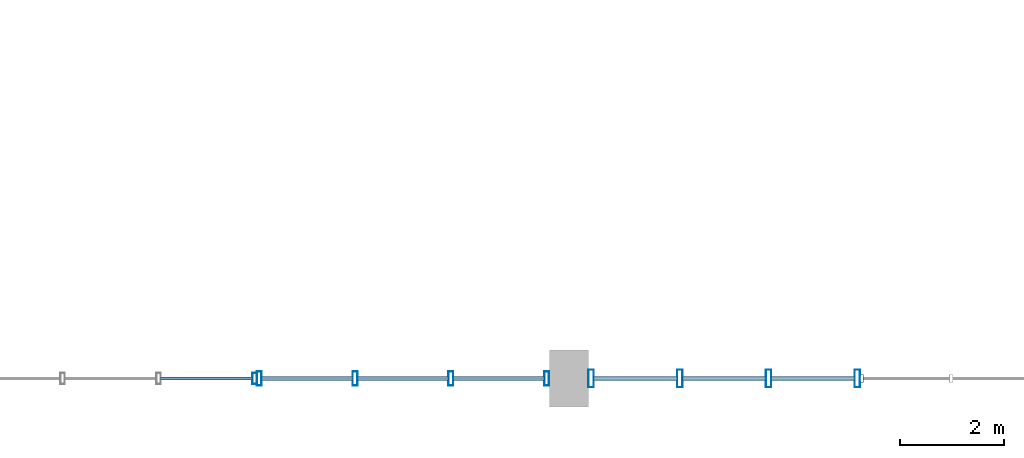
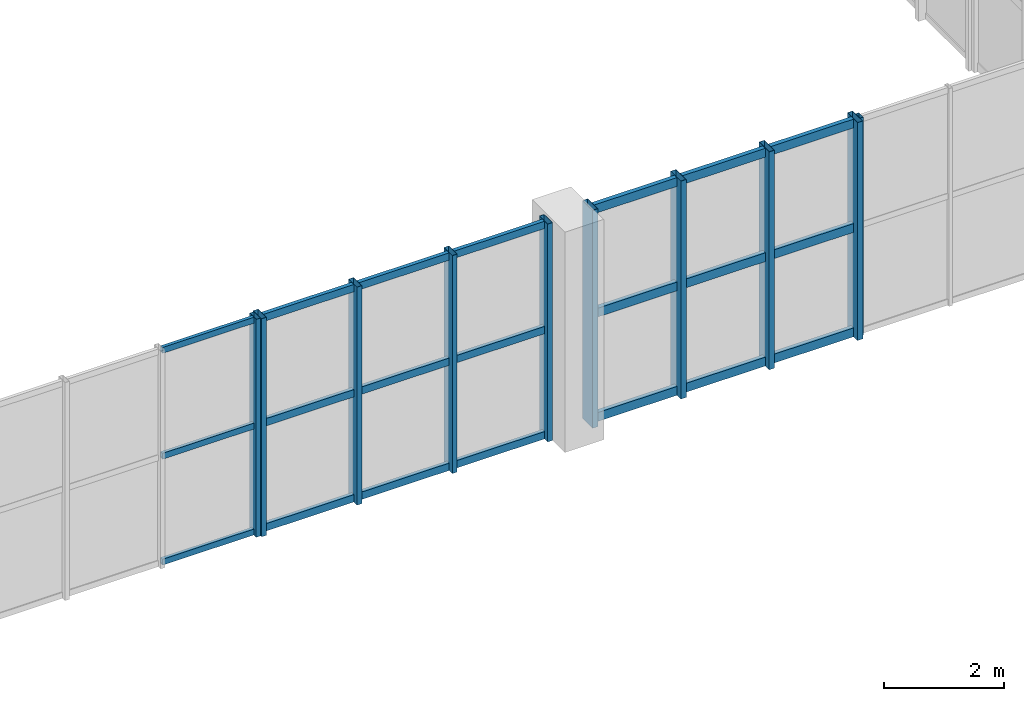
# One storey, part 42 of 80: 31 members, 4 elements without a shape of their own.
"""IFC4 building model written with IfcOpenShell, lengths in metres."""

from ifc_helpers import new_model, si_unit, direction, frame, origin, origin_2d, place, context, subcontext, project, spatial, hollow_rectangle, extrude, material, layer, layer_set, material_profile, profile_set, type_object, element, aggregate, save


model = new_model("IFC4")

# Units and contexts
model_context = context("Model", 3, precision=1e-05, world=origin(), true_north=direction((0.0, 1.0)))
body_context = subcontext(model_context, "Body", "Model", "MODEL_VIEW")
ifc_project = project(units=[si_unit("LENGTHUNIT", "METRE"), si_unit("AREAUNIT", "SQUARE_METRE"), si_unit("VOLUMEUNIT", "CUBIC_METRE"), si_unit("PLANEANGLEUNIT", "RADIAN"), si_unit("MASSUNIT", "GRAM", prefix="KILO"), si_unit("POWERUNIT", "WATT"), si_unit("THERMODYNAMICTEMPERATUREUNIT", "KELVIN")], contexts=[model_context])

# Site, building, storey
site_placement = place(None, origin())
site = spatial("IfcSite", under=ifc_project, at=site_placement, CompositionType="ELEMENT")
building_placement = place(site_placement, origin())
building = spatial("IfcBuilding", under=site, at=building_placement, Name="Kelmbourne Parkland Aquatics Centre", CompositionType="ELEMENT")
storey_placement = place(building_placement, frame((0.0, 0.0, 10.199951171875)))
storey = spatial("IfcBuildingStorey", under=building, at=storey_placement, Name="L02", CompositionType="ELEMENT", Elevation=10.199951171875)

# Curtain wall, member
ifc_material = material(Name="Thermally broken anodised aluminium framing", Category="aluminium")
ifc_layer_1 = layer(ifc_material, 0.179931640625)
ifc_layer_set_1 = layer_set([ifc_layer_1], Name="Thermally broken anodised aluminium framing")
curtain_wall_type_1 = type_object("IfcCurtainWallType", Name="CW-24", PredefinedType="NOTDEFINED", material=ifc_layer_set_1)
curtain_wall_1_placement = place(storey_placement, origin())
curtain_wall_1 = element("IfcCurtainWall", 1, at=curtain_wall_1_placement, inside=storey, type_object=curtain_wall_type_1, Name="Wave-hall clerestory curtain wall CW-L02-120", PredefinedType="NOTDEFINED")
ifc_material_profile_1 = material_profile(ifc_material, hollow_rectangle(XDim=0.06494140625, YDim=0.14990234375, WallThickness=0.00390625, at=origin_2d()), Name="CW-M 65x150")
ifc_profile_set_1 = profile_set([ifc_material_profile_1], Name="Thermally broken anodised aluminium framing")
member_type_1 = type_object("IfcMemberType", Name="MB-MUL-1", PredefinedType="MULLION", material=ifc_profile_set_1)
member_1_placement = place(storey_placement, frame((169.632568359375, 0.800048828125, 0.0), z_axis=(0.0, 0.0, 1.0), x_axis=(1.0, 0.0, 0.0)))
member_1 = element("IfcMember", 2, at=member_1_placement, type_object=member_type_1, Name="CW-L02-120 mullion 0", PredefinedType="MULLION", context=body_context, shape_type="SweptSolid", body=[
    extrude(hollow_rectangle(XDim=0.06494140625, YDim=0.14990234375, WallThickness=0.00390625, at=origin_2d()), origin(), (0.0, 0.0, 1.0), 4.449951171875),
])
aggregate(curtain_wall_1, [member_1])

ifc_layer_2 = layer(ifc_material, 0.179931640625)
ifc_layer_set_2 = layer_set([ifc_layer_2], Name="Thermally broken anodised aluminium framing")
curtain_wall_type_2 = type_object("IfcCurtainWallType", Name="CW-21", PredefinedType="NOTDEFINED", material=ifc_layer_set_2)
curtain_wall_2_placement = place(storey_placement, origin())
curtain_wall_2 = element("IfcCurtainWall", 3, at=curtain_wall_2_placement, inside=storey, type_object=curtain_wall_type_2, Name="Wave-hall clerestory curtain wall CW-L02-117", PredefinedType="NOTDEFINED")
ifc_material_profile_2 = material_profile(ifc_material, hollow_rectangle(XDim=0.0849609375, YDim=0.219970703125, WallThickness=0.0048828125, at=origin_2d()), Name="CW-M 85x220")
ifc_profile_set_2 = profile_set([ifc_material_profile_2], Name="Thermally broken anodised aluminium framing")
member_type_2 = type_object("IfcMemberType", Name="MB-MUL-3", PredefinedType="MULLION", material=ifc_profile_set_2)
member_2_placement = place(storey_placement, frame((157.95751953125, 0.800048828125, 0.0), z_axis=(0.0, 0.0, 1.0), x_axis=(1.0, 0.0, 0.0)))
member_2 = element("IfcMember", 4, at=member_2_placement, type_object=member_type_2, Name="CW-L02-117 mullion 3", PredefinedType="MULLION", context=body_context, shape_type="SweptSolid", body=[
    extrude(hollow_rectangle(XDim=0.0849609375, YDim=0.219970703125, WallThickness=0.0048828125, at=origin_2d()), origin(), (0.0, 0.0, 1.0), 4.449951171875),
])

# Curtain wall, members
ifc_layer_3 = layer(ifc_material, 0.179931640625)
ifc_layer_set_3 = layer_set([ifc_layer_3], Name="Thermally broken anodised aluminium framing")
curtain_wall_type_3 = type_object("IfcCurtainWallType", Name="CW-22", PredefinedType="NOTDEFINED", material=ifc_layer_set_3)
curtain_wall_3_placement = place(storey_placement, origin())
curtain_wall_3 = element("IfcCurtainWall", 5, at=curtain_wall_3_placement, inside=storey, type_object=curtain_wall_type_3, Name="Wave-hall clerestory curtain wall CW-L02-118", PredefinedType="NOTDEFINED")
ifc_material_profile_3 = material_profile(ifc_material, hollow_rectangle(XDim=0.094970703125, YDim=0.280029296875, WallThickness=0.005615234375, at=origin_2d()), Name="CW-M 95x280")
ifc_profile_set_3 = profile_set([ifc_material_profile_3], Name="Thermally broken anodised aluminium framing")
member_type_3 = type_object("IfcMemberType", Name="MB-MUL-4", PredefinedType="MULLION", material=ifc_profile_set_3)
member_3_placement = place(storey_placement, frame((158.047607421875, 0.800048828125, 0.0), z_axis=(0.0, 0.0, 1.0), x_axis=(1.0, 0.0, 0.0)))
member_3 = element("IfcMember", 6, at=member_3_placement, type_object=member_type_3, Name="CW-L02-118 mullion 0", PredefinedType="MULLION", context=body_context, shape_type="SweptSolid", body=[
    extrude(hollow_rectangle(XDim=0.094970703125, YDim=0.280029296875, WallThickness=0.005615234375, at=origin_2d()), origin(), (0.0, 0.0, 1.0), 4.449951171875),
])
member_4_placement = place(storey_placement, frame((159.89013671875, 0.800048828125, 0.0), z_axis=(0.0, 0.0, 1.0), x_axis=(1.0, 0.0, 0.0)))
member_4 = element("IfcMember", 7, at=member_4_placement, type_object=member_type_3, Name="CW-L02-118 mullion 1", PredefinedType="MULLION", context=body_context, shape_type="SweptSolid", body=[
    extrude(hollow_rectangle(XDim=0.094970703125, YDim=0.280029296875, WallThickness=0.005615234375, at=origin_2d()), origin(), (0.0, 0.0, 1.0), 4.449951171875),
])
member_5_placement = place(storey_placement, frame((161.73291015625, 0.800048828125, 0.0), z_axis=(0.0, 0.0, 1.0), x_axis=(1.0, 0.0, 0.0)))
member_5 = element("IfcMember", 8, at=member_5_placement, type_object=member_type_3, Name="CW-L02-118 mullion 2", PredefinedType="MULLION", context=body_context, shape_type="SweptSolid", body=[
    extrude(hollow_rectangle(XDim=0.094970703125, YDim=0.280029296875, WallThickness=0.005615234375, at=origin_2d()), origin(), (0.0, 0.0, 1.0), 4.449951171875),
])
member_6_placement = place(storey_placement, frame((163.575439453125, 0.800048828125, 0.0), z_axis=(0.0, 0.0, 1.0), x_axis=(1.0, 0.0, 0.0)))
member_6 = element("IfcMember", 9, at=member_6_placement, type_object=member_type_3, Name="CW-L02-118 mullion 3", PredefinedType="MULLION", context=body_context, shape_type="SweptSolid", body=[
    extrude(hollow_rectangle(XDim=0.094970703125, YDim=0.280029296875, WallThickness=0.005615234375, at=origin_2d()), origin(), (0.0, 0.0, 1.0), 4.449951171875),
])

ifc_layer_4 = layer(ifc_material, 0.179931640625)
ifc_layer_set_4 = layer_set([ifc_layer_4], Name="Thermally broken anodised aluminium framing")
curtain_wall_type_4 = type_object("IfcCurtainWallType", Name="CW-23", PredefinedType="NOTDEFINED", material=ifc_layer_set_4)
curtain_wall_4_placement = place(storey_placement, origin())
curtain_wall_4 = element("IfcCurtainWall", 10, at=curtain_wall_4_placement, inside=storey, type_object=curtain_wall_type_4, Name="Wave-hall clerestory curtain wall CW-L02-119", PredefinedType="NOTDEFINED")
ifc_material_profile_4 = material_profile(ifc_material, hollow_rectangle(XDim=0.10498046875, YDim=0.340087890625, WallThickness=0.006103515625, at=origin_2d()), Name="CW-M 105x340")
ifc_profile_set_4 = profile_set([ifc_material_profile_4], Name="Thermally broken anodised aluminium framing")
member_type_4 = type_object("IfcMemberType", Name="MB-MUL-5", PredefinedType="MULLION", material=ifc_profile_set_4)
member_7_placement = place(storey_placement, frame((164.429443359375, 0.800048828125, 0.0), z_axis=(0.0, 0.0, 1.0), x_axis=(1.0, 0.0, 0.0)))
member_7 = element("IfcMember", 11, at=member_7_placement, type_object=member_type_4, Name="CW-L02-119 mullion 0", PredefinedType="MULLION", context=body_context, shape_type="SweptSolid", body=[
    extrude(hollow_rectangle(XDim=0.10498046875, YDim=0.340087890625, WallThickness=0.006103515625, at=origin_2d()), origin(), (0.0, 0.0, 1.0), 4.449951171875),
])
member_8_placement = place(storey_placement, frame((166.135498046875, 0.800048828125, 0.0), z_axis=(0.0, 0.0, 1.0), x_axis=(1.0, 0.0, 0.0)))
member_8 = element("IfcMember", 12, at=member_8_placement, type_object=member_type_4, Name="CW-L02-119 mullion 1", PredefinedType="MULLION", context=body_context, shape_type="SweptSolid", body=[
    extrude(hollow_rectangle(XDim=0.10498046875, YDim=0.340087890625, WallThickness=0.006103515625, at=origin_2d()), origin(), (0.0, 0.0, 1.0), 4.449951171875),
])
member_9_placement = place(storey_placement, frame((167.841552734375, 0.800048828125, 0.0), z_axis=(0.0, 0.0, 1.0), x_axis=(1.0, 0.0, 0.0)))
member_9 = element("IfcMember", 13, at=member_9_placement, type_object=member_type_4, Name="CW-L02-119 mullion 2", PredefinedType="MULLION", context=body_context, shape_type="SweptSolid", body=[
    extrude(hollow_rectangle(XDim=0.10498046875, YDim=0.340087890625, WallThickness=0.006103515625, at=origin_2d()), origin(), (0.0, 0.0, 1.0), 4.449951171875),
])
member_10_placement = place(storey_placement, frame((169.547607421875, 0.800048828125, 0.0), z_axis=(0.0, 0.0, 1.0), x_axis=(1.0, 0.0, 0.0)))
member_10 = element("IfcMember", 14, at=member_10_placement, type_object=member_type_4, Name="CW-L02-119 mullion 3", PredefinedType="MULLION", context=body_context, shape_type="SweptSolid", body=[
    extrude(hollow_rectangle(XDim=0.10498046875, YDim=0.340087890625, WallThickness=0.006103515625, at=origin_2d()), origin(), (0.0, 0.0, 1.0), 4.449951171875),
])

# Member
ifc_material_profile_5 = material_profile(ifc_material, hollow_rectangle(XDim=0.06494140625, YDim=0.1201171875, WallThickness=0.00341796875, at=origin_2d()), Name="CW-T 65x120")
ifc_profile_set_5 = profile_set([ifc_material_profile_5], Name="Thermally broken anodised aluminium framing")
member_type_5 = type_object("IfcMemberType", Name="MB-TRN-1", PredefinedType="USERDEFINED", material=ifc_profile_set_5)
member_11_placement = place(storey_placement, frame((156.14990234375, 0.800048828125, 0.06298828125), z_axis=(1.0, 0.0, 0.0), x_axis=(0.0, 1.0, 0.0)))
member_11 = element("IfcMember", 15, at=member_11_placement, type_object=member_type_5, Name="CW-L02-117 transom 0-2", ObjectType="TRANSOM", PredefinedType="USERDEFINED", context=body_context, shape_type="SweptSolid", body=[
    extrude(hollow_rectangle(XDim=0.06494140625, YDim=0.1201171875, WallThickness=0.00341796875, at=origin_2d()), origin(), (0.0, 0.0, 1.0), 1.76904296875),
])

member_12_placement = place(storey_placement, frame((156.14990234375, 0.800048828125, 2.22509765625), z_axis=(1.0, 0.0, 0.0), x_axis=(0.0, 1.0, 0.0)))
member_12 = element("IfcMember", 16, at=member_12_placement, type_object=member_type_5, Name="CW-L02-117 transom 1-2", ObjectType="TRANSOM", PredefinedType="USERDEFINED", context=body_context, shape_type="SweptSolid", body=[
    extrude(hollow_rectangle(XDim=0.06494140625, YDim=0.1201171875, WallThickness=0.00341796875, at=origin_2d()), origin(), (0.0, 0.0, 1.0), 1.76904296875),
])

member_13_placement = place(storey_placement, frame((156.14990234375, 0.800048828125, 4.386962890625), z_axis=(1.0, 0.0, 0.0), x_axis=(0.0, 1.0, 0.0)))
member_13 = element("IfcMember", 17, at=member_13_placement, type_object=member_type_5, Name="CW-L02-117 transom 2-2", ObjectType="TRANSOM", PredefinedType="USERDEFINED", context=body_context, shape_type="SweptSolid", body=[
    extrude(hollow_rectangle(XDim=0.06494140625, YDim=0.1201171875, WallThickness=0.00341796875, at=origin_2d()), origin(), (0.0, 0.0, 1.0), 1.76904296875),
])

aggregate(curtain_wall_2, [member_2, member_11, member_12, member_13])

ifc_material_profile_6 = material_profile(ifc_material, hollow_rectangle(XDim=0.074951171875, YDim=0.14990234375, WallThickness=0.00390625, at=origin_2d()), Name="CW-T 75x150")
ifc_profile_set_6 = profile_set([ifc_material_profile_6], Name="Thermally broken anodised aluminium framing")
member_type_6 = type_object("IfcMemberType", Name="MB-TRN-2", PredefinedType="USERDEFINED", material=ifc_profile_set_6)
member_14_placement = place(storey_placement, frame((158.091064453125, 0.800048828125, 0.078125), z_axis=(1.0, 0.0, 0.0), x_axis=(0.0, 1.0, 0.0)))
member_14 = element("IfcMember", 18, at=member_14_placement, type_object=member_type_6, Name="CW-L02-118 transom 0-0", ObjectType="TRANSOM", PredefinedType="USERDEFINED", context=body_context, shape_type="SweptSolid", body=[
    extrude(hollow_rectangle(XDim=0.074951171875, YDim=0.14990234375, WallThickness=0.00390625, at=origin_2d()), origin(), (0.0, 0.0, 1.0), 1.755615234375),
])

member_15_placement = place(storey_placement, frame((159.93359375, 0.800048828125, 0.078125), z_axis=(1.0, 0.0, 0.0), x_axis=(0.0, 1.0, 0.0)))
member_15 = element("IfcMember", 19, at=member_15_placement, type_object=member_type_6, Name="CW-L02-118 transom 0-1", ObjectType="TRANSOM", PredefinedType="USERDEFINED", context=body_context, shape_type="SweptSolid", body=[
    extrude(hollow_rectangle(XDim=0.074951171875, YDim=0.14990234375, WallThickness=0.00390625, at=origin_2d()), origin(), (0.0, 0.0, 1.0), 1.755615234375),
])

member_16_placement = place(storey_placement, frame((161.7763671875, 0.800048828125, 0.078125), z_axis=(1.0, 0.0, 0.0), x_axis=(0.0, 1.0, 0.0)))
member_16 = element("IfcMember", 20, at=member_16_placement, type_object=member_type_6, Name="CW-L02-118 transom 0-2", ObjectType="TRANSOM", PredefinedType="USERDEFINED", context=body_context, shape_type="SweptSolid", body=[
    extrude(hollow_rectangle(XDim=0.074951171875, YDim=0.14990234375, WallThickness=0.00390625, at=origin_2d()), origin(), (0.0, 0.0, 1.0), 1.755615234375),
])

member_17_placement = place(storey_placement, frame((158.091064453125, 0.800048828125, 2.22509765625), z_axis=(1.0, 0.0, 0.0), x_axis=(0.0, 1.0, 0.0)))
member_17 = element("IfcMember", 21, at=member_17_placement, type_object=member_type_6, Name="CW-L02-118 transom 1-0", ObjectType="TRANSOM", PredefinedType="USERDEFINED", context=body_context, shape_type="SweptSolid", body=[
    extrude(hollow_rectangle(XDim=0.074951171875, YDim=0.14990234375, WallThickness=0.00390625, at=origin_2d()), origin(), (0.0, 0.0, 1.0), 1.755615234375),
])

member_18_placement = place(storey_placement, frame((159.93359375, 0.800048828125, 2.22509765625), z_axis=(1.0, 0.0, 0.0), x_axis=(0.0, 1.0, 0.0)))
member_18 = element("IfcMember", 22, at=member_18_placement, type_object=member_type_6, Name="CW-L02-118 transom 1-1", ObjectType="TRANSOM", PredefinedType="USERDEFINED", context=body_context, shape_type="SweptSolid", body=[
    extrude(hollow_rectangle(XDim=0.074951171875, YDim=0.14990234375, WallThickness=0.00390625, at=origin_2d()), origin(), (0.0, 0.0, 1.0), 1.755615234375),
])

member_19_placement = place(storey_placement, frame((161.7763671875, 0.800048828125, 2.22509765625), z_axis=(1.0, 0.0, 0.0), x_axis=(0.0, 1.0, 0.0)))
member_19 = element("IfcMember", 23, at=member_19_placement, type_object=member_type_6, Name="CW-L02-118 transom 1-2", ObjectType="TRANSOM", PredefinedType="USERDEFINED", context=body_context, shape_type="SweptSolid", body=[
    extrude(hollow_rectangle(XDim=0.074951171875, YDim=0.14990234375, WallThickness=0.00390625, at=origin_2d()), origin(), (0.0, 0.0, 1.0), 1.755615234375),
])

member_20_placement = place(storey_placement, frame((158.091064453125, 0.800048828125, 4.3720703125), z_axis=(1.0, 0.0, 0.0), x_axis=(0.0, 1.0, 0.0)))
member_20 = element("IfcMember", 24, at=member_20_placement, type_object=member_type_6, Name="CW-L02-118 transom 2-0", ObjectType="TRANSOM", PredefinedType="USERDEFINED", context=body_context, shape_type="SweptSolid", body=[
    extrude(hollow_rectangle(XDim=0.074951171875, YDim=0.14990234375, WallThickness=0.00390625, at=origin_2d()), origin(), (0.0, 0.0, 1.0), 1.755615234375),
])

member_21_placement = place(storey_placement, frame((159.93359375, 0.800048828125, 4.3720703125), z_axis=(1.0, 0.0, 0.0), x_axis=(0.0, 1.0, 0.0)))
member_21 = element("IfcMember", 25, at=member_21_placement, type_object=member_type_6, Name="CW-L02-118 transom 2-1", ObjectType="TRANSOM", PredefinedType="USERDEFINED", context=body_context, shape_type="SweptSolid", body=[
    extrude(hollow_rectangle(XDim=0.074951171875, YDim=0.14990234375, WallThickness=0.00390625, at=origin_2d()), origin(), (0.0, 0.0, 1.0), 1.755615234375),
])

member_22_placement = place(storey_placement, frame((161.7763671875, 0.800048828125, 4.3720703125), z_axis=(1.0, 0.0, 0.0), x_axis=(0.0, 1.0, 0.0)))
member_22 = element("IfcMember", 26, at=member_22_placement, type_object=member_type_6, Name="CW-L02-118 transom 2-2", ObjectType="TRANSOM", PredefinedType="USERDEFINED", context=body_context, shape_type="SweptSolid", body=[
    extrude(hollow_rectangle(XDim=0.074951171875, YDim=0.14990234375, WallThickness=0.00390625, at=origin_2d()), origin(), (0.0, 0.0, 1.0), 1.755615234375),
])

aggregate(curtain_wall_3, [member_3, member_4, member_5, member_6, member_14, member_15, member_16, member_17, member_18, member_19, member_20, member_21, member_22])

ifc_material_profile_7 = material_profile(ifc_material, hollow_rectangle(XDim=0.0849609375, YDim=0.179931640625, WallThickness=0.00439453125, at=origin_2d()), Name="CW-T 85x180")
ifc_profile_set_7 = profile_set([ifc_material_profile_7], Name="Thermally broken anodised aluminium framing")
member_type_7 = type_object("IfcMemberType", Name="MB-TRN-3", PredefinedType="USERDEFINED", material=ifc_profile_set_7)
member_23_placement = place(storey_placement, frame((164.47802734375, 0.800048828125, 0.093017578125), z_axis=(1.0, 0.0, 0.0), x_axis=(0.0, 1.0, 0.0)))
member_23 = element("IfcMember", 27, at=member_23_placement, type_object=member_type_7, Name="CW-L02-119 transom 0-0", ObjectType="TRANSOM", PredefinedType="USERDEFINED", context=body_context, shape_type="SweptSolid", body=[
    extrude(hollow_rectangle(XDim=0.0849609375, YDim=0.179931640625, WallThickness=0.00439453125, at=origin_2d()), origin(), (0.0, 0.0, 1.0), 1.60888671875),
])

member_24_placement = place(storey_placement, frame((166.18408203125, 0.800048828125, 0.093017578125), z_axis=(1.0, 0.0, 0.0), x_axis=(0.0, 1.0, 0.0)))
member_24 = element("IfcMember", 28, at=member_24_placement, type_object=member_type_7, Name="CW-L02-119 transom 0-1", ObjectType="TRANSOM", PredefinedType="USERDEFINED", context=body_context, shape_type="SweptSolid", body=[
    extrude(hollow_rectangle(XDim=0.0849609375, YDim=0.179931640625, WallThickness=0.00439453125, at=origin_2d()), origin(), (0.0, 0.0, 1.0), 1.60888671875),
])

member_25_placement = place(storey_placement, frame((167.889892578125, 0.800048828125, 0.093017578125), z_axis=(1.0, 0.0, 0.0), x_axis=(0.0, 1.0, 0.0)))
member_25 = element("IfcMember", 29, at=member_25_placement, type_object=member_type_7, Name="CW-L02-119 transom 0-2", ObjectType="TRANSOM", PredefinedType="USERDEFINED", context=body_context, shape_type="SweptSolid", body=[
    extrude(hollow_rectangle(XDim=0.0849609375, YDim=0.179931640625, WallThickness=0.00439453125, at=origin_2d()), origin(), (0.0, 0.0, 1.0), 1.609130859375),
])

member_26_placement = place(storey_placement, frame((164.47802734375, 0.800048828125, 2.22509765625), z_axis=(1.0, 0.0, 0.0), x_axis=(0.0, 1.0, 0.0)))
member_26 = element("IfcMember", 30, at=member_26_placement, type_object=member_type_7, Name="CW-L02-119 transom 1-0", ObjectType="TRANSOM", PredefinedType="USERDEFINED", context=body_context, shape_type="SweptSolid", body=[
    extrude(hollow_rectangle(XDim=0.0849609375, YDim=0.179931640625, WallThickness=0.00439453125, at=origin_2d()), origin(), (0.0, 0.0, 1.0), 1.60888671875),
])

member_27_placement = place(storey_placement, frame((166.18408203125, 0.800048828125, 2.22509765625), z_axis=(1.0, 0.0, 0.0), x_axis=(0.0, 1.0, 0.0)))
member_27 = element("IfcMember", 31, at=member_27_placement, type_object=member_type_7, Name="CW-L02-119 transom 1-1", ObjectType="TRANSOM", PredefinedType="USERDEFINED", context=body_context, shape_type="SweptSolid", body=[
    extrude(hollow_rectangle(XDim=0.0849609375, YDim=0.179931640625, WallThickness=0.00439453125, at=origin_2d()), origin(), (0.0, 0.0, 1.0), 1.60888671875),
])

member_28_placement = place(storey_placement, frame((167.889892578125, 0.800048828125, 2.22509765625), z_axis=(1.0, 0.0, 0.0), x_axis=(0.0, 1.0, 0.0)))
member_28 = element("IfcMember", 32, at=member_28_placement, type_object=member_type_7, Name="CW-L02-119 transom 1-2", ObjectType="TRANSOM", PredefinedType="USERDEFINED", context=body_context, shape_type="SweptSolid", body=[
    extrude(hollow_rectangle(XDim=0.0849609375, YDim=0.179931640625, WallThickness=0.00439453125, at=origin_2d()), origin(), (0.0, 0.0, 1.0), 1.609130859375),
])

member_29_placement = place(storey_placement, frame((164.47802734375, 0.800048828125, 4.35693359375), z_axis=(1.0, 0.0, 0.0), x_axis=(0.0, 1.0, 0.0)))
member_29 = element("IfcMember", 33, at=member_29_placement, type_object=member_type_7, Name="CW-L02-119 transom 2-0", ObjectType="TRANSOM", PredefinedType="USERDEFINED", context=body_context, shape_type="SweptSolid", body=[
    extrude(hollow_rectangle(XDim=0.0849609375, YDim=0.179931640625, WallThickness=0.00439453125, at=origin_2d()), origin(), (0.0, 0.0, 1.0), 1.60888671875),
])

member_30_placement = place(storey_placement, frame((166.18408203125, 0.800048828125, 4.35693359375), z_axis=(1.0, 0.0, 0.0), x_axis=(0.0, 1.0, 0.0)))
member_30 = element("IfcMember", 34, at=member_30_placement, type_object=member_type_7, Name="CW-L02-119 transom 2-1", ObjectType="TRANSOM", PredefinedType="USERDEFINED", context=body_context, shape_type="SweptSolid", body=[
    extrude(hollow_rectangle(XDim=0.0849609375, YDim=0.179931640625, WallThickness=0.00439453125, at=origin_2d()), origin(), (0.0, 0.0, 1.0), 1.60888671875),
])

member_31_placement = place(storey_placement, frame((167.889892578125, 0.800048828125, 4.35693359375), z_axis=(1.0, 0.0, 0.0), x_axis=(0.0, 1.0, 0.0)))
member_31 = element("IfcMember", 35, at=member_31_placement, type_object=member_type_7, Name="CW-L02-119 transom 2-2", ObjectType="TRANSOM", PredefinedType="USERDEFINED", context=body_context, shape_type="SweptSolid", body=[
    extrude(hollow_rectangle(XDim=0.0849609375, YDim=0.179931640625, WallThickness=0.00439453125, at=origin_2d()), origin(), (0.0, 0.0, 1.0), 1.609130859375),
])

aggregate(curtain_wall_4, [member_7, member_8, member_9, member_10, member_23, member_24, member_25, member_26, member_27, member_28, member_29, member_30, member_31])

save(model, "model.ifc")
